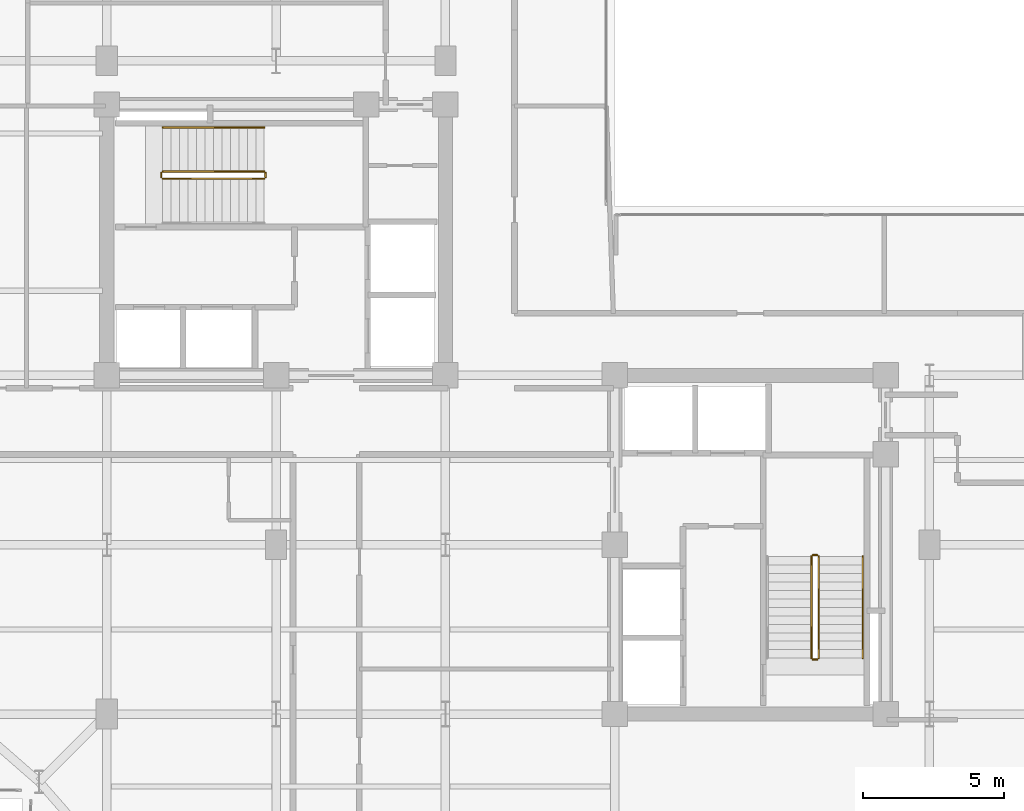
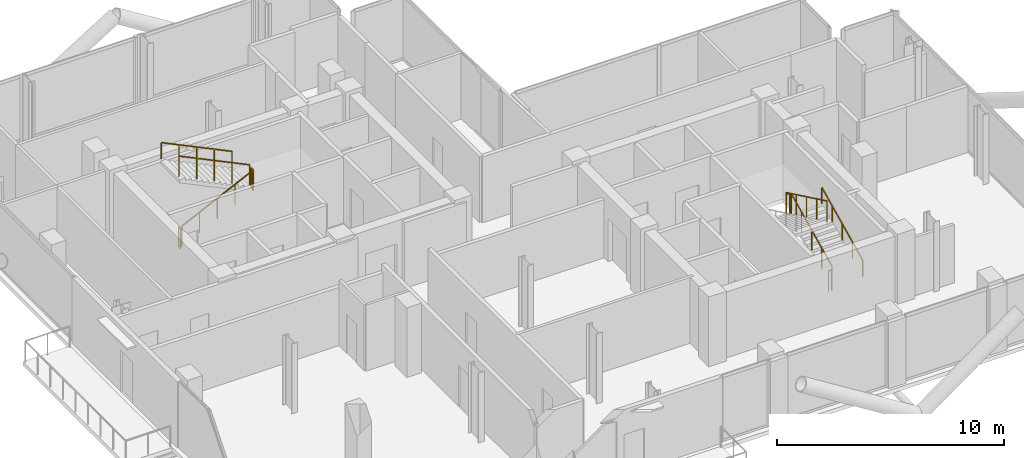
# One storey, part 21 of 21: 10 railings.
"""IFC4 building model written with IfcOpenShell, lengths in metres."""

from ifc_helpers import new_model, si_unit, direction, frame, origin, origin_2d, place, context, subcontext, project, spatial, rectangle, extrude, material, type_object, element, save


model = new_model("IFC4")

# Units and contexts
model_context = context("Model", 3, precision=1e-05, world=origin(), true_north=direction((0.0, 1.0)))
body_context = subcontext(model_context, "Body", "Model", "MODEL_VIEW")
ifc_project = project(units=[si_unit("LENGTHUNIT", "METRE"), si_unit("AREAUNIT", "SQUARE_METRE"), si_unit("VOLUMEUNIT", "CUBIC_METRE"), si_unit("PLANEANGLEUNIT", "RADIAN"), si_unit("MASSUNIT", "GRAM", prefix="KILO"), si_unit("THERMODYNAMICTEMPERATUREUNIT", "KELVIN"), si_unit("POWERUNIT", "WATT")], contexts=[model_context])

# Site, building, storey
site_placement = place(None, origin())
site = spatial("IfcSite", under=ifc_project, at=site_placement, CompositionType="ELEMENT")
building_placement = place(site_placement, origin())
building = spatial("IfcBuilding", under=site, at=building_placement, Name="Svarakhadi Broadcast Tower", CompositionType="ELEMENT")
storey_placement = place(building_placement, frame((0.0, 0.0, 219.89990234375)))
storey = spatial("IfcBuildingStorey", under=building, at=storey_placement, Name="L54", CompositionType="ELEMENT", Elevation=219.89990234375)

# Railings
ifc_material = material(Name="Anodised Bronze Aluminium AA 6063-T6", Category="aluminium")
railing_type_1 = type_object("IfcRailingType", Name="Guard_Stair_GR01", PredefinedType="GUARDRAIL", material=ifc_material)
railing_1_placement = place(storey_placement, frame((7.97998046875, 24.969970703125, 0.144287109375)))
element("IfcRailing", 1, at=railing_1_placement, inside=storey, type_object=railing_type_1, Name="L54 ST-01 stair guard 1", PredefinedType="GUARDRAIL", context=body_context, shape_type="SweptSolid", body=[
    extrude(rectangle(XDim=0.048095703125, YDim=0.048095703125, at=origin_2d()), frame((0.0, 0.0, 1.09619140625), z_axis=(0.901262522062, 0.0, 0.433273431364), x_axis=(0.0, 1.0, 0.0)), (0.0, 0.0, 1.0), 3.994384765625),
    extrude(rectangle(XDim=0.0419921875, YDim=0.0419921875, at=origin_2d()), origin(), (0.0, 0.0, 1.0), 1.072021484375),
    extrude(rectangle(XDim=0.0419921875, YDim=0.0419921875, at=origin_2d()), frame((0.89990234375, 0.0, 0.4326171875)), (0.0, 0.0, 1.0), 1.072021484375),
    extrude(rectangle(XDim=0.0419921875, YDim=0.0419921875, at=origin_2d()), frame((1.800048828125, 0.0, 0.865234375)), (0.0, 0.0, 1.0), 1.072021484375),
    extrude(rectangle(XDim=0.0419921875, YDim=0.0419921875, at=origin_2d()), frame((2.7001953125, 0.0, 1.298095703125)), (0.0, 0.0, 1.0), 1.072021484375),
    extrude(rectangle(XDim=0.0419921875, YDim=0.0419921875, at=origin_2d()), frame((3.60009765625, 0.0, 1.730712890625)), (0.0, 0.0, 1.0), 1.072021484375),
])
railing_2_placement = place(storey_placement, frame((11.6298828125, 25.02001953125, 1.875)))
element("IfcRailing", 2, at=railing_2_placement, inside=storey, type_object=railing_type_1, Name="L54 ST-01 stair guard 2", PredefinedType="GUARDRAIL", context=body_context, shape_type="SweptSolid", body=[
    extrude(rectangle(XDim=0.048095703125, YDim=0.048095703125, at=origin_2d()), frame((0.0, 0.0, 1.09619140625), z_axis=(0.0, 1.0, 0.0), x_axis=(-1.0, 0.0, 0.0)), (0.0, 0.0, 1.0), 0.159912109375),
    extrude(rectangle(XDim=0.0419921875, YDim=0.0419921875, at=origin_2d()), origin(), (0.0, 0.0, 1.0), 1.072021484375),
    extrude(rectangle(XDim=0.0419921875, YDim=0.0419921875, at=origin_2d()), frame((0.0, 0.159912109375, 0.0)), (0.0, 0.0, 1.0), 1.072021484375),
])
railing_3_placement = place(storey_placement, frame((11.580078125, 25.22998046875, 2.019287109375)))
element("IfcRailing", 3, at=railing_3_placement, inside=storey, type_object=railing_type_1, Name="L54 ST-01 stair guard 3", PredefinedType="GUARDRAIL", context=body_context, shape_type="SweptSolid", body=[
    extrude(rectangle(XDim=0.048095703125, YDim=0.048095703125, at=origin_2d()), frame((0.0, 0.0, 1.09619140625), z_axis=(-0.901262522062, 0.0, 0.433273431364), x_axis=(0.0, -1.0, 0.0)), (0.0, 0.0, 1.0), 3.994384765625),
    extrude(rectangle(XDim=0.0419921875, YDim=0.0419921875, at=origin_2d()), origin(), (0.0, 0.0, 1.0), 1.072021484375),
    extrude(rectangle(XDim=0.0419921875, YDim=0.0419921875, at=origin_2d()), frame((-0.89990234375, 0.0, 0.4326171875)), (0.0, 0.0, 1.0), 1.072021484375),
    extrude(rectangle(XDim=0.0419921875, YDim=0.0419921875, at=origin_2d()), frame((-1.800048828125, 0.0, 0.865234375)), (0.0, 0.0, 1.0), 1.072021484375),
    extrude(rectangle(XDim=0.0419921875, YDim=0.0419921875, at=origin_2d()), frame((-2.7001953125, 0.0, 1.298095703125)), (0.0, 0.0, 1.0), 1.072021484375),
    extrude(rectangle(XDim=0.0419921875, YDim=0.0419921875, at=origin_2d()), frame((-3.60009765625, 0.0, 1.730712890625)), (0.0, 0.0, 1.0), 1.072021484375),
])
railing_4_placement = place(storey_placement, frame((7.929931640625, 25.02001953125, 0.0)))
element("IfcRailing", 4, at=railing_4_placement, inside=storey, type_object=railing_type_1, Name="L54 ST-01 stair guard 4", PredefinedType="GUARDRAIL", context=body_context, shape_type="SweptSolid", body=[
    extrude(rectangle(XDim=0.048095703125, YDim=0.048095703125, at=origin_2d()), frame((0.0, 0.0, 1.09619140625), z_axis=(0.0, 1.0, 0.0), x_axis=(-1.0, 0.0, 0.0)), (0.0, 0.0, 1.0), 0.159912109375),
    extrude(rectangle(XDim=0.0419921875, YDim=0.0419921875, at=origin_2d()), origin(), (0.0, 0.0, 1.0), 1.072021484375),
    extrude(rectangle(XDim=0.0419921875, YDim=0.0419921875, at=origin_2d()), frame((0.0, 0.159912109375, 0.0)), (0.0, 0.0, 1.0), 1.072021484375),
])
railing_5_placement = place(storey_placement, frame((31.22998046875, 7.97998046875, 0.144287109375)))
element("IfcRailing", 5, at=railing_5_placement, inside=storey, type_object=railing_type_1, Name="L54 ST-02 stair guard 1", PredefinedType="GUARDRAIL", context=body_context, shape_type="SweptSolid", body=[
    extrude(rectangle(XDim=0.048095703125, YDim=0.048095703125, at=origin_2d()), frame((0.0, 0.0, 1.09619140625), z_axis=(0.0, 0.901262522062, 0.433273431364), x_axis=(-1.0, 0.0, 0.0)), (0.0, 0.0, 1.0), 3.994384765625),
    extrude(rectangle(XDim=0.0419921875, YDim=0.0419921875, at=origin_2d()), origin(), (0.0, 0.0, 1.0), 1.072021484375),
    extrude(rectangle(XDim=0.0419921875, YDim=0.0419921875, at=origin_2d()), frame((0.0, 0.89990234375, 0.4326171875)), (0.0, 0.0, 1.0), 1.072021484375),
    extrude(rectangle(XDim=0.0419921875, YDim=0.0419921875, at=origin_2d()), frame((0.0, 1.800048828125, 0.865234375)), (0.0, 0.0, 1.0), 1.072021484375),
    extrude(rectangle(XDim=0.0419921875, YDim=0.0419921875, at=origin_2d()), frame((0.0, 2.7001953125, 1.298095703125)), (0.0, 0.0, 1.0), 1.072021484375),
    extrude(rectangle(XDim=0.0419921875, YDim=0.0419921875, at=origin_2d()), frame((0.0, 3.60009765625, 1.730712890625)), (0.0, 0.0, 1.0), 1.072021484375),
])
railing_6_placement = place(storey_placement, frame((31.179931640625, 11.6298828125, 1.875)))
element("IfcRailing", 6, at=railing_6_placement, inside=storey, type_object=railing_type_1, Name="L54 ST-02 stair guard 2", PredefinedType="GUARDRAIL", context=body_context, shape_type="SweptSolid", body=[
    extrude(rectangle(XDim=0.048095703125, YDim=0.048095703125, at=origin_2d()), frame((0.0, 0.0, 1.09619140625), z_axis=(-1.0, 0.0, 0.0), x_axis=(0.0, -1.0, 0.0)), (0.0, 0.0, 1.0), 0.159912109375),
    extrude(rectangle(XDim=0.0419921875, YDim=0.0419921875, at=origin_2d()), origin(), (0.0, 0.0, 1.0), 1.072021484375),
    extrude(rectangle(XDim=0.0419921875, YDim=0.0419921875, at=origin_2d()), frame((-0.159912109375, 0.0, 0.0)), (0.0, 0.0, 1.0), 1.072021484375),
])
railing_7_placement = place(storey_placement, frame((30.969970703125, 11.580078125, 2.019287109375)))
element("IfcRailing", 7, at=railing_7_placement, inside=storey, type_object=railing_type_1, Name="L54 ST-02 stair guard 3", PredefinedType="GUARDRAIL", context=body_context, shape_type="SweptSolid", body=[
    extrude(rectangle(XDim=0.048095703125, YDim=0.048095703125, at=origin_2d()), frame((0.0, 0.0, 1.09619140625), z_axis=(0.0, -0.901262522062, 0.433273431364), x_axis=(1.0, 0.0, 0.0)), (0.0, 0.0, 1.0), 3.994384765625),
    extrude(rectangle(XDim=0.0419921875, YDim=0.0419921875, at=origin_2d()), origin(), (0.0, 0.0, 1.0), 1.072021484375),
    extrude(rectangle(XDim=0.0419921875, YDim=0.0419921875, at=origin_2d()), frame((0.0, -0.89990234375, 0.4326171875)), (0.0, 0.0, 1.0), 1.072021484375),
    extrude(rectangle(XDim=0.0419921875, YDim=0.0419921875, at=origin_2d()), frame((0.0, -1.800048828125, 0.865234375)), (0.0, 0.0, 1.0), 1.072021484375),
    extrude(rectangle(XDim=0.0419921875, YDim=0.0419921875, at=origin_2d()), frame((0.0, -2.7001953125, 1.298095703125)), (0.0, 0.0, 1.0), 1.072021484375),
    extrude(rectangle(XDim=0.0419921875, YDim=0.0419921875, at=origin_2d()), frame((0.0, -3.60009765625, 1.730712890625)), (0.0, 0.0, 1.0), 1.072021484375),
])
railing_8_placement = place(storey_placement, frame((31.179931640625, 7.929931640625, 0.0)))
element("IfcRailing", 8, at=railing_8_placement, inside=storey, type_object=railing_type_1, Name="L54 ST-02 stair guard 4", PredefinedType="GUARDRAIL", context=body_context, shape_type="SweptSolid", body=[
    extrude(rectangle(XDim=0.048095703125, YDim=0.048095703125, at=origin_2d()), frame((0.0, 0.0, 1.09619140625), z_axis=(-1.0, 0.0, 0.0), x_axis=(0.0, -1.0, 0.0)), (0.0, 0.0, 1.0), 0.159912109375),
    extrude(rectangle(XDim=0.0419921875, YDim=0.0419921875, at=origin_2d()), origin(), (0.0, 0.0, 1.0), 1.072021484375),
    extrude(rectangle(XDim=0.0419921875, YDim=0.0419921875, at=origin_2d()), frame((-0.159912109375, 0.0, 0.0)), (0.0, 0.0, 1.0), 1.072021484375),
])
railing_type_2 = type_object("IfcRailingType", Name="Handrail_Stair_HR01", PredefinedType="HANDRAIL", material=ifc_material)
railing_9_placement = place(storey_placement, frame((11.580078125, 26.7900390625, 2.019287109375)))
element("IfcRailing", 9, at=railing_9_placement, inside=storey, type_object=railing_type_2, Name="L54 ST-01 stair handrail 2", PredefinedType="HANDRAIL", context=body_context, shape_type="SweptSolid", body=[
    extrude(rectangle(XDim=0.048095703125, YDim=0.048095703125, at=origin_2d()), frame((0.0, 0.0, 0.8759765625), z_axis=(-0.901262522062, 0.0, 0.433273431364), x_axis=(0.0, -1.0, 0.0)), (0.0, 0.0, 1.0), 3.994384765625),
    extrude(rectangle(XDim=0.0419921875, YDim=0.0419921875, at=origin_2d()), origin(), (0.0, 0.0, 1.0), 0.851806640625),
    extrude(rectangle(XDim=0.0419921875, YDim=0.0419921875, at=origin_2d()), frame((-0.89990234375, 0.0, 0.4326171875)), (0.0, 0.0, 1.0), 0.851806640625),
    extrude(rectangle(XDim=0.0419921875, YDim=0.0419921875, at=origin_2d()), frame((-1.800048828125, 0.0, 0.865234375)), (0.0, 0.0, 1.0), 0.851806640625),
    extrude(rectangle(XDim=0.0419921875, YDim=0.0419921875, at=origin_2d()), frame((-2.7001953125, 0.0, 1.298095703125)), (0.0, 0.0, 1.0), 0.851806640625),
    extrude(rectangle(XDim=0.0419921875, YDim=0.0419921875, at=origin_2d()), frame((-3.60009765625, 0.0, 1.730712890625)), (0.0, 0.0, 1.0), 0.851806640625),
])
railing_10_placement = place(storey_placement, frame((32.7900390625, 7.97998046875, 0.144287109375)))
element("IfcRailing", 10, at=railing_10_placement, inside=storey, type_object=railing_type_2, Name="L54 ST-02 stair handrail 1", PredefinedType="HANDRAIL", context=body_context, shape_type="SweptSolid", body=[
    extrude(rectangle(XDim=0.048095703125, YDim=0.048095703125, at=origin_2d()), frame((0.0, 0.0, 0.8759765625), z_axis=(0.0, 0.901262522062, 0.433273431364), x_axis=(-1.0, 0.0, 0.0)), (0.0, 0.0, 1.0), 3.994384765625),
    extrude(rectangle(XDim=0.0419921875, YDim=0.0419921875, at=origin_2d()), origin(), (0.0, 0.0, 1.0), 0.851806640625),
    extrude(rectangle(XDim=0.0419921875, YDim=0.0419921875, at=origin_2d()), frame((0.0, 0.89990234375, 0.4326171875)), (0.0, 0.0, 1.0), 0.851806640625),
    extrude(rectangle(XDim=0.0419921875, YDim=0.0419921875, at=origin_2d()), frame((0.0, 1.800048828125, 0.865234375)), (0.0, 0.0, 1.0), 0.851806640625),
    extrude(rectangle(XDim=0.0419921875, YDim=0.0419921875, at=origin_2d()), frame((0.0, 2.7001953125, 1.298095703125)), (0.0, 0.0, 1.0), 0.851806640625),
    extrude(rectangle(XDim=0.0419921875, YDim=0.0419921875, at=origin_2d()), frame((0.0, 3.60009765625, 1.730712890625)), (0.0, 0.0, 1.0), 0.851806640625),
])

save(model, "model.ifc")
